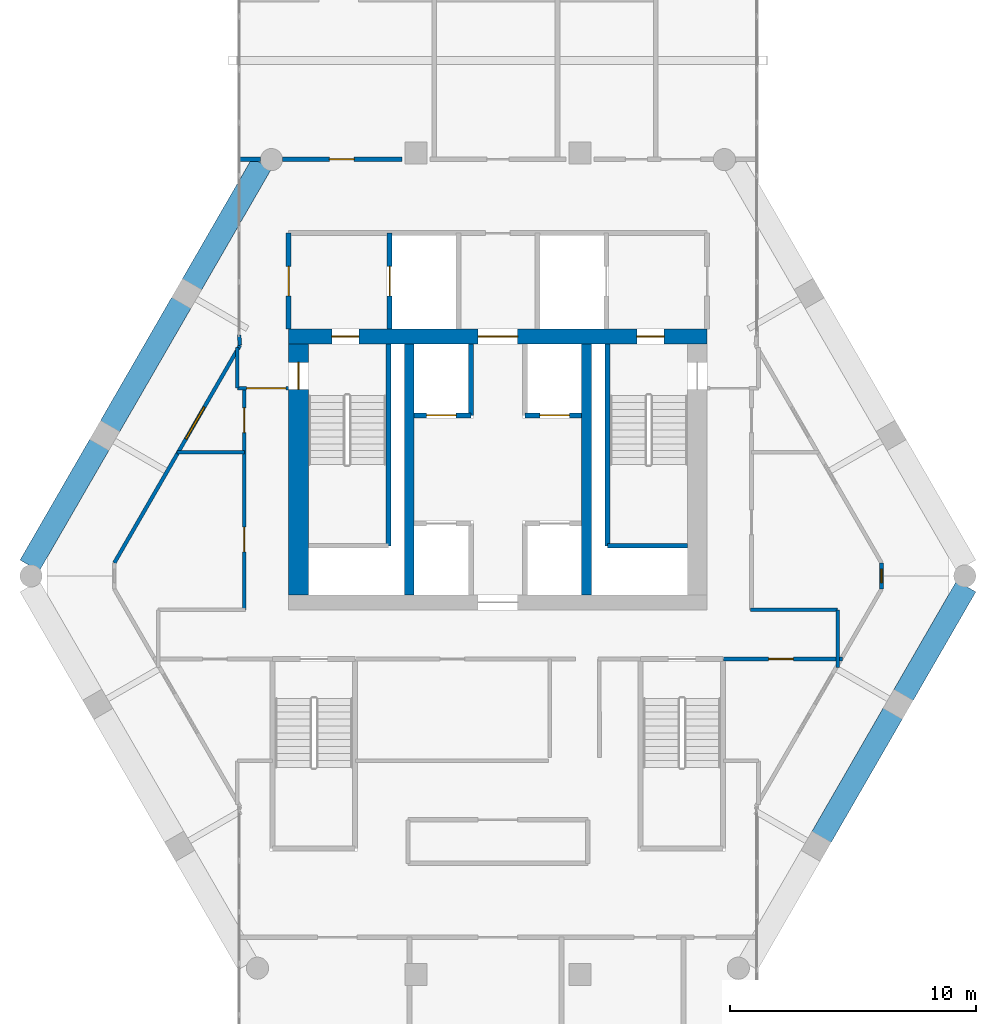
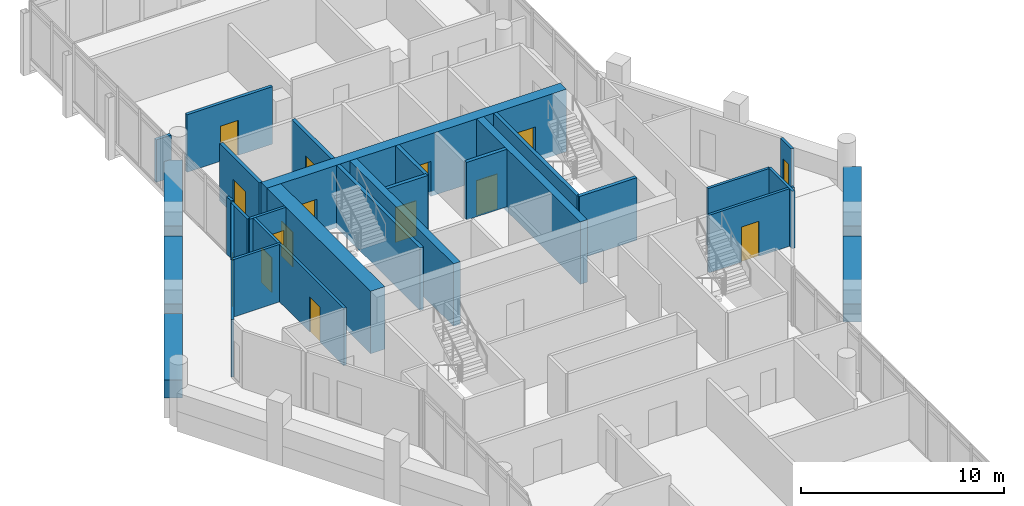
# One storey, part 22 of 25: 29 walls, 13 doors, 2 windows, 15 openings.
"""IFC4 building model written with IfcOpenShell, lengths in metres."""

from ifc_helpers import new_model, si_unit, direction, frame, frame_2d, origin, place, context, subcontext, project, spatial, rectangle, extrude, material, layer, layer_set, type_object, element, fill, save


model = new_model("IFC4")

# Units and contexts
model_context = context("Model", 3, precision=1e-05, world=origin(), true_north=direction((0.0, 1.0)))
body_context = subcontext(model_context, "Body", "Model", "MODEL_VIEW")
ifc_project = project(units=[si_unit("LENGTHUNIT", "METRE"), si_unit("AREAUNIT", "SQUARE_METRE"), si_unit("VOLUMEUNIT", "CUBIC_METRE"), si_unit("PLANEANGLEUNIT", "RADIAN"), si_unit("MASSUNIT", "GRAM", prefix="KILO")], contexts=[model_context])

# Site, building, storey
site_placement = place(None, origin())
site = spatial("IfcSite", under=ifc_project, at=site_placement, CompositionType="ELEMENT")
building_placement = place(site_placement, origin())
building = spatial("IfcBuilding", under=site, at=building_placement, Name="Ostrander Bayou Hotel Tower", CompositionType="ELEMENT")
storey_placement = place(building_placement, frame((0.0, 0.0, 229.5)))
storey = spatial("IfcBuildingStorey", under=building, at=storey_placement, Name="L57", CompositionType="ELEMENT", Elevation=229.5)

# Wall, openings, doors
ifc_material_1 = material(Name="Concrete f'c 60 MPa", Category="concrete")
ifc_layer_1 = layer(ifc_material_1, 0.60009765625)
ifc_layer_set_1 = layer_set([ifc_layer_1], Name="CW10 core wall 600 mm f'c 60 MPa")
wall_type_1 = type_object("IfcWallType", Name="CW10 core wall 600 mm f'c 60 MPa", PredefinedType="SHEAR", material=ifc_layer_set_1)
wall_1_placement = place(storey_placement, frame((-8.5, 9.39990234375, -0.300048828125), z_axis=(0.0, 0.0, 1.0), x_axis=(1.0, 0.0, 0.0)))
wall_1 = element("IfcWall", 1, at=wall_1_placement, inside=storey, type_object=wall_type_1, Name="CW10 L57 N", PredefinedType="SHEAR", context=body_context, shape_type="SweptSolid", body=[
    extrude(rectangle(XDim=17.0, YDim=0.60009765625, at=frame_2d((8.5, 0.0))), origin(), (0.0, 0.0, 1.0), 3.75),
])
opening_1_placement = place(wall_1_placement, frame((7.699951171875, 0.0, 0.0)))
opening_1 = element("IfcOpeningElement", 2, at=opening_1_placement, cuts=wall_1, Name="Opening T57-006", PredefinedType="OPENING", context=body_context, shape_type="SweptSolid", body=[
    extrude(rectangle(XDim=1.60009765625, YDim=2.10009765625, at=frame_2d((0.800048828125, 1.050048828125))), frame((0.0, 0.300048828125, 0.0), z_axis=(0.0, -1.0, 0.0), x_axis=(1.0, 0.0, 0.0)), (0.0, 0.0, 1.0), 0.60009765625),
])
opening_2_placement = place(wall_1_placement, frame((1.75, 0.0, 0.0)))
opening_2 = element("IfcOpeningElement", 3, at=opening_2_placement, cuts=wall_1, Name="Opening T57-007", PredefinedType="OPENING", context=body_context, shape_type="SweptSolid", body=[
    extrude(rectangle(XDim=1.10009765625, YDim=2.10009765625, at=frame_2d((0.550048828125, 1.050048828125))), frame((0.0, 0.300048828125, 0.0), z_axis=(0.0, -1.0, 0.0), x_axis=(1.0, 0.0, 0.0)), (0.0, 0.0, 1.0), 0.60009765625),
])
opening_3_placement = place(wall_1_placement, frame((14.14990234375, 0.0, 0.0)))
opening_3 = element("IfcOpeningElement", 4, at=opening_3_placement, cuts=wall_1, Name="Opening T57-009", PredefinedType="OPENING", context=body_context, shape_type="SweptSolid", body=[
    extrude(rectangle(XDim=1.10009765625, YDim=2.10009765625, at=frame_2d((0.550048828125, 1.050048828125))), frame((0.0, 0.300048828125, 0.0), z_axis=(0.0, -1.0, 0.0), x_axis=(1.0, 0.0, 0.0)), (0.0, 0.0, 1.0), 0.60009765625),
])
ifc_material_2 = material(Name="Timber door leaf", Category="wood")
door_type_1 = type_object("IfcDoorType", Name="D13 double door 1600 x 2100 mm, 1 hour", OperationType="SINGLE_SWING_LEFT", PredefinedType="DOOR", material=ifc_material_2)
door_1_placement = place(opening_1_placement, origin())
door_1 = element("IfcDoor", 5, at=door_1_placement, inside=storey, type_object=door_type_1, Name="dr:L57:006", OperationType="DOUBLE_DOOR_SINGLE_SWING", OverallHeight=2.10009765625, OverallWidth=1.60009765625, PredefinedType="DOOR", context=body_context, shape_type="SweptSolid", body=[
    extrude(rectangle(XDim=1.60009765625, YDim=2.10009765625, at=frame_2d((0.800048828125, 1.050048828125))), frame((0.0, 0.02490234375, 0.0), z_axis=(0.0, -1.0, 0.0), x_axis=(1.0, 0.0, 0.0)), (0.0, 0.0, 1.0), 0.050048828125),
])
fill(opening_1, door_1)
ifc_material_3 = material(Name="Timber door leaf", Category="wood")
door_type_2 = type_object("IfcDoorType", Name="D5 stair door 1100 x 2100 mm, 90 minute", OperationType="SINGLE_SWING_LEFT", PredefinedType="DOOR", material=ifc_material_3)
door_2_placement = place(opening_2_placement, origin())
door_2 = element("IfcDoor", 6, at=door_2_placement, inside=storey, type_object=door_type_2, Name="dr:L57:007", OperationType="SINGLE_SWING_LEFT", OverallHeight=2.10009765625, OverallWidth=1.10009765625, PredefinedType="DOOR", context=body_context, shape_type="SweptSolid", body=[
    extrude(rectangle(XDim=1.10009765625, YDim=2.10009765625, at=frame_2d((0.550048828125, 1.050048828125))), frame((0.0, 0.02490234375, 0.0), z_axis=(0.0, -1.0, 0.0), x_axis=(1.0, 0.0, 0.0)), (0.0, 0.0, 1.0), 0.050048828125),
])
fill(opening_2, door_2)
door_3_placement = place(opening_3_placement, origin())
door_3 = element("IfcDoor", 7, at=door_3_placement, inside=storey, type_object=door_type_2, Name="dr:L57:009", OperationType="SINGLE_SWING_RIGHT", OverallHeight=2.10009765625, OverallWidth=1.10009765625, PredefinedType="DOOR", context=body_context, shape_type="SweptSolid", body=[
    extrude(rectangle(XDim=1.10009765625, YDim=2.10009765625, at=frame_2d((0.550048828125, 1.050048828125))), frame((0.0, 0.02490234375, 0.0), z_axis=(0.0, -1.0, 0.0), x_axis=(1.0, 0.0, 0.0)), (0.0, 0.0, 1.0), 0.050048828125),
])
fill(opening_3, door_3)

# Wall, opening, door
ifc_material_4 = material(Name="Concrete f'c 60 MPa", Category="concrete")
ifc_layer_2 = layer(ifc_material_4, 0.800048828125)
ifc_layer_set_2 = layer_set([ifc_layer_2], Name="CW11 core spine wall 800 mm f'c 60 MPa")
wall_type_2 = type_object("IfcWallType", Name="CW11 core spine wall 800 mm f'c 60 MPa", PredefinedType="SHEAR", material=ifc_layer_set_2)
wall_2_placement = place(storey_placement, frame((-8.10009765625, -1.10009765625, -0.300048828125), z_axis=(0.0, 0.0, 1.0), x_axis=(0.0, 1.0, 0.0)))
wall_2 = element("IfcWall", 8, at=wall_2_placement, inside=storey, type_object=wall_type_2, Name="CW11 L57 W", PredefinedType="SHEAR", context=body_context, shape_type="SweptSolid", body=[
    extrude(rectangle(XDim=10.2001953125, YDim=0.800048828125, at=frame_2d((5.10009765625, 0.0))), origin(), (0.0, 0.0, 1.0), 3.75),
])
opening_4_placement = place(wall_2_placement, frame((8.35009765625, 0.0, 0.0)))
opening_4 = element("IfcOpeningElement", 9, at=opening_4_placement, cuts=wall_2, Name="Opening T57-008", PredefinedType="OPENING", context=body_context, shape_type="SweptSolid", body=[
    extrude(rectangle(XDim=1.10009765625, YDim=2.10009765625, at=frame_2d((0.550048828125, 1.050048828125))), frame((0.0, 0.39990234375, 0.0), z_axis=(0.0, -1.0, 0.0), x_axis=(1.0, 0.0, 0.0)), (0.0, 0.0, 1.0), 0.800048828125),
])
door_4_placement = place(opening_4_placement, origin())
door_4 = element("IfcDoor", 10, at=door_4_placement, inside=storey, type_object=door_type_2, Name="dr:L57:008", OperationType="SINGLE_SWING_RIGHT", OverallHeight=2.10009765625, OverallWidth=1.10009765625, PredefinedType="DOOR", context=body_context, shape_type="SweptSolid", body=[
    extrude(rectangle(XDim=1.10009765625, YDim=2.10009765625, at=frame_2d((0.550048828125, 1.050048828125))), frame((0.0, 0.02490234375, 0.0), z_axis=(0.0, -1.0, 0.0), x_axis=(1.0, 0.0, 0.0)), (0.0, 0.0, 1.0), 0.050048828125),
])
fill(opening_4, door_4)

# Walls
ifc_material_5 = material(Name="Concrete f'c 60 MPa", Category="concrete")
ifc_layer_3 = layer(ifc_material_5, 0.39990234375)
ifc_layer_set_3 = layer_set([ifc_layer_3], Name="CW12 core bank wall 400 mm f'c 60 MPa")
wall_type_3 = type_object("IfcWallType", Name="CW12 core bank wall 400 mm f'c 60 MPa", PredefinedType="SHEAR", material=ifc_layer_set_3)
for number, where, z_axis, x_axis, name in (
    (11, (-3.60009765625, -1.10009765625, -0.300048828125), (0.0, 0.0, 1.0), (0.0, 1.0, 0.0), "CW12 L57 CW"),
    (12, (3.60009765625, -1.10009765625, -0.300048828125), (0.0, 0.0, 1.0), (0.0, 1.0, 0.0), "CW12 L57 CE"),
):
    element("IfcWall", number, at=place(storey_placement, frame(where, z_axis=z_axis, x_axis=x_axis)), inside=storey, type_object=wall_type_3, Name=name, PredefinedType="SHEAR", context=body_context, shape_type="SweptSolid", body=[
        extrude(rectangle(XDim=10.2001953125, YDim=0.39990234375, at=frame_2d((5.10009765625, 0.0))), origin(), (0.0, 0.0, 1.0), 3.75),
    ])

# Wall, opening, window
ifc_material_6 = material(Name="Aluminium framed insulated wall", Category="aluminium")
ifc_layer_4 = layer(ifc_material_6, 0.14990234375)
ifc_layer_set_4 = layer_set([ifc_layer_4], Name="GW1 glass-line wall 150 mm")
wall_type_4 = type_object("IfcWallType", Name="GW1 glass-line wall 150 mm", PredefinedType="SOLIDWALL", material=ifc_layer_set_4)
wall_3_placement = place(storey_placement, frame((-10.47900390625, 9.04541015625, 0.0), z_axis=(0.0, 0.0, 1.0), x_axis=(-0.49998469459, -0.866034240187, 0.0)))
wall_3 = element("IfcWall", 13, at=wall_3_placement, inside=storey, type_object=wall_type_4, Name="GW1 L57 NW 1", PredefinedType="SOLIDWALL", context=body_context, shape_type="SweptSolid", body=[
    extrude(rectangle(XDim=10.207763671875, YDim=0.14990234375, at=frame_2d((5.10400390625, 0.0))), origin(), (0.0, 0.0, 1.0), 3.449951171875),
])
opening_5_placement = place(wall_3_placement, frame((2.89404296875, 0.0, 0.14990234375)))
opening_5 = element("IfcOpeningElement", 14, at=opening_5_placement, cuts=wall_3, Name="Opening W10", PredefinedType="OPENING", context=body_context, shape_type="SweptSolid", body=[
    extrude(rectangle(XDim=1.5, YDim=2.199951171875, at=frame_2d((0.75, 1.10009765625))), frame((0.0, 0.074951171875, 0.0), z_axis=(0.0, -1.0, 0.0), x_axis=(1.0, 0.0, 0.0)), (0.0, 0.0, 1.0), 0.14990234375),
])
ifc_material_7 = material(Name="Aluminium and clear glass", Category="aluminium")
window_type_1 = type_object("IfcWindowType", Name="W10 fixed window 1500 mm, bar storeys, zone 4", PartitioningType="SINGLE_PANEL", PredefinedType="WINDOW", material=ifc_material_7)
window_1_placement = place(opening_5_placement, origin())
window_1 = element("IfcWindow", 15, at=window_1_placement, inside=storey, type_object=window_type_1, Name="W10 L57 NW 3", OverallHeight=2.199951171875, OverallWidth=1.5, PartitioningType="SINGLE_PANEL", PredefinedType="WINDOW", context=body_context, shape_type="SweptSolid", body=[
    extrude(rectangle(XDim=1.5, YDim=2.199951171875, at=frame_2d((0.75, 1.10009765625))), frame((0.0, 0.030029296875, 0.0), z_axis=(0.0, -1.0, 0.0), x_axis=(1.0, 0.0, 0.0)), (0.0, 0.0, 1.0), 0.06005859375),
])
fill(opening_5, window_1)

wall_4_placement = place(storey_placement, frame((15.582763671875, -0.85986328125, 0.0), z_axis=(0.0, 0.0, 1.0), x_axis=(0.0, 1.0, 0.0)))
wall_4 = element("IfcWall", 16, at=wall_4_placement, inside=storey, type_object=wall_type_4, Name="GW1 L57 corner 5", PredefinedType="SOLIDWALL", context=body_context, shape_type="SweptSolid", body=[
    extrude(rectangle(XDim=1.06494140625, YDim=0.14990234375, at=frame_2d((0.532470703125, 0.0))), origin(), (0.0, 0.0, 1.0), 3.449951171875),
])
opening_6_placement = place(wall_4_placement, frame((0.257568359375, 0.0, 0.14990234375)))
opening_6 = element("IfcOpeningElement", 17, at=opening_6_placement, cuts=wall_4, Name="Opening W19", PredefinedType="OPENING", context=body_context, shape_type="SweptSolid", body=[
    extrude(rectangle(XDim=0.550048828125, YDim=2.199951171875, at=frame_2d((0.27490234375, 1.10009765625))), frame((0.0, 0.074951171875, 0.0), z_axis=(0.0, -1.0, 0.0), x_axis=(1.0, 0.0, 0.0)), (0.0, 0.0, 1.0), 0.14990234375),
])
ifc_material_8 = material(Name="Aluminium and clear glass", Category="aluminium")
window_type_2 = type_object("IfcWindowType", Name="W19 corner window 550 mm", PartitioningType="SINGLE_PANEL", PredefinedType="WINDOW", material=ifc_material_8)
window_2_placement = place(opening_6_placement, origin())
window_2 = element("IfcWindow", 18, at=window_2_placement, inside=storey, type_object=window_type_2, Name="W19 L57 corner 5", OverallHeight=2.199951171875, OverallWidth=0.550048828125, PartitioningType="SINGLE_PANEL", PredefinedType="WINDOW", context=body_context, shape_type="SweptSolid", body=[
    extrude(rectangle(XDim=0.550048828125, YDim=2.199951171875, at=frame_2d((0.27490234375, 1.10009765625))), frame((0.0, 0.030029296875, 0.0), z_axis=(0.0, -1.0, 0.0), x_axis=(1.0, 0.0, 0.0)), (0.0, 0.0, 1.0), 0.06005859375),
])
fill(opening_6, window_2)

# Walls
wall_5_placement = place(storey_placement, frame((-10.47900390625, 9.04541015625, 0.0), z_axis=(0.0, 0.0, 1.0), x_axis=(-0.078869316502, 0.996884963732, 0.0)))
element("IfcWall", 19, at=wall_5_placement, inside=storey, type_object=wall_type_4, Name="GW1 L57 bar joint 1", PredefinedType="SOLIDWALL", context=body_context, shape_type="SweptSolid", body=[
    extrude(rectangle(XDim=0.4208984375, YDim=0.14990234375, at=frame_2d((0.21044921875, 0.0))), origin(), (0.0, 0.0, 1.0), 3.449951171875),
])
ifc_material_9 = material(Name="Concrete f'c 40 MPa", Category="concrete")
ifc_layer_5 = layer(ifc_material_9, 0.89990234375)
ifc_layer_set_5 = layer_set([ifc_layer_5], Name="PA1 stone-faced parapet 900 mm")
wall_type_5 = type_object("IfcWallType", Name="PA1 stone-faced parapet 900 mm", PredefinedType="PARAPET", material=ifc_layer_set_5)
wall_6_placement = place(storey_placement, frame((-9.593994140625, 16.427978515625, 0.0), z_axis=(0.0, 0.0, 1.0), x_axis=(-0.499994028088, -0.866028851642, 0.0)))
element("IfcWall", 20, at=wall_6_placement, inside=storey, type_object=wall_type_5, Name="PA1 L57 NW-1", PredefinedType="PARAPET", context=body_context, shape_type="SweptSolid", body=[
    extrude(rectangle(XDim=5.6806640625, YDim=0.89990234375, at=frame_2d((2.84033203125, 0.0))), origin(), (0.0, 0.0, 1.0), 1.10009765625),
])
wall_7_placement = place(storey_placement, frame((-12.8544921875, 10.781005859375, 0.0), z_axis=(0.0, 0.0, 1.0), x_axis=(-0.499997265274, -0.866026982673, 0.0)))
element("IfcWall", 21, at=wall_7_placement, inside=storey, type_object=wall_type_5, Name="PA1 L57 NW-2", PredefinedType="PARAPET", context=body_context, shape_type="SweptSolid", body=[
    extrude(rectangle(XDim=5.81884765625, YDim=0.89990234375, at=frame_2d((2.909423828125, 0.0))), origin(), (0.0, 0.0, 1.0), 1.10009765625),
])
wall_8_placement = place(storey_placement, frame((-16.183837890625, 5.014404296875, 0.0), z_axis=(0.0, 0.0, 1.0), x_axis=(-0.499994028088, -0.866028851642, 0.0)))
element("IfcWall", 22, at=wall_8_placement, inside=storey, type_object=wall_type_5, Name="PA1 L57 NW-3", PredefinedType="PARAPET", context=body_context, shape_type="SweptSolid", body=[
    extrude(rectangle(XDim=5.6806640625, YDim=0.89990234375, at=frame_2d((2.84033203125, 0.0))), origin(), (0.0, 0.0, 1.0), 1.10009765625),
])
ifc_material_10 = material(Name="Limestone masonry", Category="masonry")
ifc_layer_6 = layer(ifc_material_10, 0.89990234375)
ifc_layer_set_6 = layer_set([ifc_layer_6], Name="PA2 limestone parapet 900 mm")
wall_type_6 = type_object("IfcWallType", Name="PA2 limestone parapet 900 mm", PredefinedType="PARAPET", material=ifc_layer_set_6)
wall_9_placement = place(storey_placement, frame((13.1376953125, -10.944580078125, 0.0), z_axis=(0.0, 0.0, 1.0), x_axis=(0.500015433515, 0.866016493057, 0.0)))
element("IfcWall", 23, at=wall_9_placement, inside=storey, type_object=wall_type_6, Name="PA2 L57 SE-2", PredefinedType="PARAPET", context=body_context, shape_type="SweptSolid", body=[
    extrude(rectangle(XDim=5.818603515625, YDim=0.89990234375, at=frame_2d((2.9091796875, 0.0))), origin(), (0.0, 0.0, 1.0), 1.10009765625),
])
wall_10_placement = place(storey_placement, frame((16.46728515625, -5.177978515625, 0.0), z_axis=(0.0, 0.0, 1.0), x_axis=(0.499995206172, 0.866028171485, 0.0)))
element("IfcWall", 24, at=wall_10_placement, inside=storey, type_object=wall_type_6, Name="PA2 L57 SE-3", PredefinedType="PARAPET", context=body_context, shape_type="SweptSolid", body=[
    extrude(rectangle(XDim=5.11376953125, YDim=0.89990234375, at=frame_2d((2.556884765625, 0.0))), origin(), (0.0, 0.0, 1.0), 1.10009765625),
])
ifc_material_11 = material(Name="Gypsum board partition", Category="finish")
ifc_layer_7 = layer(ifc_material_11, 0.175048828125)
ifc_layer_set_7 = layer_set([ifc_layer_7], Name="PT4 corridor wall 175 mm, 1 hour")
wall_type_7 = type_object("IfcWallType", Name="PT4 corridor wall 175 mm, 1 hour", PredefinedType="PARTITIONING", material=ifc_layer_set_7)
wall_11_placement = place(storey_placement, frame((-10.4931640625, 16.60009765625, 0.0), z_axis=(0.0, 0.0, 1.0), x_axis=(1.0, 0.0, 0.0)))
element("IfcWall", 25, at=wall_11_placement, inside=storey, type_object=wall_type_7, Name="sw:L57:503", PredefinedType="PARTITIONING", context=body_context, shape_type="SweptSolid", body=[
    extrude(rectangle(XDim=0.8447265625, YDim=0.175048828125, at=frame_2d((0.42236328125, 0.0))), origin(), (0.0, 0.0, 1.0), 2.550048828125),
])

# Wall, opening, door
wall_12_placement = place(storey_placement, frame((-8.750732421875, 16.60009765625, 0.0), z_axis=(0.0, 0.0, 1.0), x_axis=(1.0, 0.0, 0.0)))
wall_12 = element("IfcWall", 26, at=wall_12_placement, inside=storey, type_object=wall_type_7, Name="sw:L57:504", PredefinedType="PARTITIONING", context=body_context, shape_type="SweptSolid", body=[
    extrude(rectangle(XDim=4.857177734375, YDim=0.175048828125, at=frame_2d((2.4287109375, 0.0))), origin(), (0.0, 0.0, 1.0), 3.449951171875),
])
opening_7_placement = place(wall_12_placement, frame((1.906005859375, 0.0, 0.0)))
opening_7 = element("IfcOpeningElement", 27, at=opening_7_placement, cuts=wall_12, Name="Opening T57-1207", PredefinedType="OPENING", context=body_context, shape_type="SweptSolid", body=[
    extrude(rectangle(XDim=1.0, YDim=2.10009765625, at=frame_2d((0.5, 1.050048828125))), frame((0.0, 0.08740234375, 0.0), z_axis=(0.0, -1.0, 0.0), x_axis=(1.0, 0.0, 0.0)), (0.0, 0.0, 1.0), 0.175048828125),
])
ifc_material_12 = material(Name="Timber door leaf", Category="wood")
door_type_3 = type_object("IfcDoorType", Name="D9 service door 1000 x 2100 mm, 30 minute", OperationType="SINGLE_SWING_LEFT", PredefinedType="DOOR", material=ifc_material_12)
door_5_placement = place(opening_7_placement, origin())
door_5 = element("IfcDoor", 28, at=door_5_placement, inside=storey, type_object=door_type_3, Name="dr:L57:1207", OperationType="SINGLE_SWING_LEFT", OverallHeight=2.10009765625, OverallWidth=1.0, PredefinedType="DOOR", context=body_context, shape_type="SweptSolid", body=[
    extrude(rectangle(XDim=1.0, YDim=2.10009765625, at=frame_2d((0.5, 1.050048828125))), frame((0.0, 0.02490234375, 0.0), z_axis=(0.0, -1.0, 0.0), x_axis=(1.0, 0.0, 0.0)), (0.0, 0.0, 1.0), 0.050048828125),
])
fill(opening_7, door_5)

ifc_material_13 = material(Name="Masonry block", Category="masonry")
ifc_layer_8 = layer(ifc_material_13, 0.199951171875)
ifc_layer_set_8 = layer_set([ifc_layer_8], Name="PT5 stair enclosure wall 200 mm masonry, 2 hour")
wall_type_8 = type_object("IfcWallType", Name="PT5 stair enclosure wall 200 mm masonry, 2 hour", PredefinedType="PARTITIONING", material=ifc_layer_set_8)
wall_13_placement = place(storey_placement, frame((-8.5, 9.699951171875, 0.0), z_axis=(0.0, 0.0, 1.0), x_axis=(0.0, 1.0, 0.0)))
wall_13 = element("IfcWall", 29, at=wall_13_placement, inside=storey, type_object=wall_type_8, Name="cs:L57:022", PredefinedType="PARTITIONING", context=body_context, shape_type="SweptSolid", body=[
    extrude(rectangle(XDim=3.900146484375, YDim=0.199951171875, at=frame_2d((1.9501953125, 0.0))), origin(), (0.0, 0.0, 1.0), 3.449951171875),
])
opening_8_placement = place(wall_13_placement, frame((1.35009765625, 0.0, 0.0)))
opening_8 = element("IfcOpeningElement", 30, at=opening_8_placement, cuts=wall_13, Name="Opening T57-014", PredefinedType="OPENING", context=body_context, shape_type="SweptSolid", body=[
    extrude(rectangle(XDim=1.199951171875, YDim=2.10009765625, at=frame_2d((0.60009765625, 1.050048828125))), frame((0.0, 0.10009765625, 0.0), z_axis=(0.0, -1.0, 0.0), x_axis=(1.0, 0.0, 0.0)), (0.0, 0.0, 1.0), 0.199951171875),
])
ifc_material_14 = material(Name="Timber door leaf", Category="wood")
door_type_4 = type_object("IfcDoorType", Name="D7 lobby door 1200 x 2100 mm, 1 hour", OperationType="SINGLE_SWING_LEFT", PredefinedType="DOOR", material=ifc_material_14)
door_6_placement = place(opening_8_placement, origin())
door_6 = element("IfcDoor", 31, at=door_6_placement, inside=storey, type_object=door_type_4, Name="dr:L57:014", OperationType="SINGLE_SWING_LEFT", OverallHeight=2.10009765625, OverallWidth=1.199951171875, PredefinedType="DOOR", context=body_context, shape_type="SweptSolid", body=[
    extrude(rectangle(XDim=1.199951171875, YDim=2.10009765625, at=frame_2d((0.60009765625, 1.050048828125))), frame((0.0, 0.02490234375, 0.0), z_axis=(0.0, -1.0, 0.0), x_axis=(1.0, 0.0, 0.0)), (0.0, 0.0, 1.0), 0.050048828125),
])
fill(opening_8, door_6)

wall_14_placement = place(storey_placement, frame((-4.39990234375, 9.699951171875, 0.0), z_axis=(0.0, 0.0, 1.0), x_axis=(0.0, 1.0, 0.0)))
wall_14 = element("IfcWall", 32, at=wall_14_placement, inside=storey, type_object=wall_type_8, Name="cs:L57:024", PredefinedType="PARTITIONING", context=body_context, shape_type="SweptSolid", body=[
    extrude(rectangle(XDim=3.900146484375, YDim=0.199951171875, at=frame_2d((1.9501953125, 0.0))), origin(), (0.0, 0.0, 1.0), 3.449951171875),
])
opening_9_placement = place(wall_14_placement, frame((1.35009765625, 0.0, 0.0)))
opening_9 = element("IfcOpeningElement", 33, at=opening_9_placement, cuts=wall_14, Name="Opening T57-013", PredefinedType="OPENING", context=body_context, shape_type="SweptSolid", body=[
    extrude(rectangle(XDim=1.199951171875, YDim=2.10009765625, at=frame_2d((0.60009765625, 1.050048828125))), frame((0.0, 0.10009765625, 0.0), z_axis=(0.0, -1.0, 0.0), x_axis=(1.0, 0.0, 0.0)), (0.0, 0.0, 1.0), 0.199951171875),
])
ifc_material_15 = material(Name="Stainless steel sliding door", Category="steel")
door_type_5 = type_object("IfcDoorType", Name="LD1 lift landing door 1200 x 2100 mm", OperationType="SINGLE_SWING_LEFT", PredefinedType="DOOR", material=ifc_material_15)
door_7_placement = place(opening_9_placement, origin())
door_7 = element("IfcDoor", 34, at=door_7_placement, inside=storey, type_object=door_type_5, Name="dr:L57:013", OperationType="SLIDING_TO_LEFT", OverallHeight=2.10009765625, OverallWidth=1.199951171875, PredefinedType="DOOR", context=body_context, shape_type="SweptSolid", body=[
    extrude(rectangle(XDim=1.199951171875, YDim=2.10009765625, at=frame_2d((0.60009765625, 1.050048828125))), frame((0.0, 0.02490234375, 0.0), z_axis=(0.0, -1.0, 0.0), x_axis=(1.0, 0.0, 0.0)), (0.0, 0.0, 1.0), 0.050048828125),
])
fill(opening_9, door_7)

ifc_material_16 = material(Name="Masonry block", Category="masonry")
ifc_layer_9 = layer(ifc_material_16, 0.199951171875)
ifc_layer_set_9 = layer_set([ifc_layer_9], Name="PT6 lift shaft wall 200 mm masonry, 2 hour")
wall_type_9 = type_object("IfcWallType", Name="PT6 lift shaft wall 200 mm masonry, 2 hour", PredefinedType="PARTITIONING", material=ifc_layer_set_9)
wall_15_placement = place(storey_placement, frame((-3.39990234375, 6.199951171875, 0.0), z_axis=(0.0, 0.0, 1.0), x_axis=(1.0, 0.0, 0.0)))
wall_15 = element("IfcWall", 35, at=wall_15_placement, inside=storey, type_object=wall_type_9, Name="cs:L57:002", PredefinedType="PARTITIONING", context=body_context, shape_type="SweptSolid", body=[
    extrude(rectangle(XDim=2.2998046875, YDim=0.199951171875, at=frame_2d((1.14990234375, 0.0))), origin(), (0.0, 0.0, 1.0), 3.449951171875),
])
opening_10_placement = place(wall_15_placement, frame((0.5, 0.0, 0.0)))
opening_10 = element("IfcOpeningElement", 36, at=opening_10_placement, cuts=wall_15, Name="Opening T57-003", PredefinedType="OPENING", context=body_context, shape_type="SweptSolid", body=[
    extrude(rectangle(XDim=1.199951171875, YDim=2.10009765625, at=frame_2d((0.60009765625, 1.050048828125))), frame((0.0, 0.10009765625, 0.0), z_axis=(0.0, -1.0, 0.0), x_axis=(1.0, 0.0, 0.0)), (0.0, 0.0, 1.0), 0.199951171875),
])
door_8_placement = place(opening_10_placement, origin())
door_8 = element("IfcDoor", 37, at=door_8_placement, inside=storey, type_object=door_type_5, Name="dr:L57:003", OperationType="SLIDING_TO_LEFT", OverallHeight=2.10009765625, OverallWidth=1.199951171875, PredefinedType="DOOR", context=body_context, shape_type="SweptSolid", body=[
    extrude(rectangle(XDim=1.199951171875, YDim=2.10009765625, at=frame_2d((0.60009765625, 1.050048828125))), frame((0.0, 0.02490234375, 0.0), z_axis=(0.0, -1.0, 0.0), x_axis=(1.0, 0.0, 0.0)), (0.0, 0.0, 1.0), 0.050048828125),
])
fill(opening_10, door_8)

wall_16_placement = place(storey_placement, frame((1.10009765625, 6.199951171875, 0.0), z_axis=(0.0, 0.0, 1.0), x_axis=(1.0, 0.0, 0.0)))
wall_16 = element("IfcWall", 38, at=wall_16_placement, inside=storey, type_object=wall_type_9, Name="cs:L57:004", PredefinedType="PARTITIONING", context=body_context, shape_type="SweptSolid", body=[
    extrude(rectangle(XDim=2.2998046875, YDim=0.199951171875, at=frame_2d((1.14990234375, 0.0))), origin(), (0.0, 0.0, 1.0), 3.449951171875),
])
opening_11_placement = place(wall_16_placement, frame((0.60009765625, 0.0, 0.0)))
opening_11 = element("IfcOpeningElement", 39, at=opening_11_placement, cuts=wall_16, Name="Opening T57-004", PredefinedType="OPENING", context=body_context, shape_type="SweptSolid", body=[
    extrude(rectangle(XDim=1.199951171875, YDim=2.10009765625, at=frame_2d((0.60009765625, 1.050048828125))), frame((0.0, 0.10009765625, 0.0), z_axis=(0.0, -1.0, 0.0), x_axis=(1.0, 0.0, 0.0)), (0.0, 0.0, 1.0), 0.199951171875),
])
door_9_placement = place(opening_11_placement, origin())
door_9 = element("IfcDoor", 40, at=door_9_placement, inside=storey, type_object=door_type_5, Name="dr:L57:004", OperationType="SLIDING_TO_LEFT", OverallHeight=2.10009765625, OverallWidth=1.199951171875, PredefinedType="DOOR", context=body_context, shape_type="SweptSolid", body=[
    extrude(rectangle(XDim=1.199951171875, YDim=2.10009765625, at=frame_2d((0.60009765625, 1.050048828125))), frame((0.0, 0.02490234375, 0.0), z_axis=(0.0, -1.0, 0.0), x_axis=(1.0, 0.0, 0.0)), (0.0, 0.0, 1.0), 0.050048828125),
])
fill(opening_11, door_9)

# Wall
wall_17_placement = place(storey_placement, frame((-1.10009765625, 6.199951171875, 0.0), z_axis=(0.0, 0.0, 1.0), x_axis=(0.0, 1.0, 0.0)))
element("IfcWall", 41, at=wall_17_placement, inside=storey, type_object=wall_type_9, Name="cs:L57:007", PredefinedType="PARTITIONING", context=body_context, shape_type="SweptSolid", body=[
    extrude(rectangle(XDim=2.900146484375, YDim=0.199951171875, at=frame_2d((1.4501953125, 0.0))), origin(), (0.0, 0.0, 1.0), 3.449951171875),
])

# Wall, opening, door
ifc_material_17 = material(Name="Gypsum board partition", Category="finish")
ifc_layer_10 = layer(ifc_material_17, 0.14990234375)
ifc_layer_set_10 = layer_set([ifc_layer_10], Name="PT8 service band wall 150 mm, 1 hour")
wall_type_10 = type_object("IfcWallType", Name="PT8 service band wall 150 mm, 1 hour", PredefinedType="PARTITIONING", material=ifc_layer_set_10)
wall_18_placement = place(storey_placement, frame((9.159912109375, -3.699951171875, 0.0), z_axis=(0.0, 0.0, 1.0), x_axis=(1.0, 0.0, 0.0)))
wall_18 = element("IfcWall", 42, at=wall_18_placement, inside=storey, type_object=wall_type_10, Name="gw:L57:007", PredefinedType="PARTITIONING", context=body_context, shape_type="SweptSolid", body=[
    extrude(rectangle(XDim=4.835205078125, YDim=0.14990234375, at=frame_2d((2.41748046875, 0.0))), origin(), (0.0, 0.0, 1.0), 3.449951171875),
])
opening_12_placement = place(wall_18_placement, frame((1.840087890625, 0.0, 0.0)))
opening_12 = element("IfcOpeningElement", 43, at=opening_12_placement, cuts=wall_18, Name="Opening T57-402", PredefinedType="OPENING", context=body_context, shape_type="SweptSolid", body=[
    extrude(rectangle(XDim=1.0, YDim=2.10009765625, at=frame_2d((0.5, 1.050048828125))), frame((0.0, 0.074951171875, 0.0), z_axis=(0.0, -1.0, 0.0), x_axis=(1.0, 0.0, 0.0)), (0.0, 0.0, 1.0), 0.14990234375),
])
door_10_placement = place(opening_12_placement, origin())
door_10 = element("IfcDoor", 44, at=door_10_placement, inside=storey, type_object=door_type_3, Name="dr:L57:402", OperationType="SINGLE_SWING_LEFT", OverallHeight=2.10009765625, OverallWidth=1.0, PredefinedType="DOOR", context=body_context, shape_type="SweptSolid", body=[
    extrude(rectangle(XDim=1.0, YDim=2.10009765625, at=frame_2d((0.5, 1.050048828125))), frame((0.0, 0.02490234375, 0.0), z_axis=(0.0, -1.0, 0.0), x_axis=(1.0, 0.0, 0.0)), (0.0, 0.0, 1.0), 0.050048828125),
])
fill(opening_12, door_10)

# Walls
wall_19_placement = place(storey_placement, frame((10.260009765625, -1.699951171875, 0.0), z_axis=(0.0, 0.0, 1.0), x_axis=(1.0, 0.0, 0.0)))
element("IfcWall", 45, at=wall_19_placement, inside=storey, type_object=wall_type_10, Name="gw:L57:009", PredefinedType="PARTITIONING", context=body_context, shape_type="SweptSolid", body=[
    extrude(rectangle(XDim=3.5400390625, YDim=0.14990234375, at=frame_2d((1.77001953125, 0.0))), origin(), (0.0, 0.0, 1.0), 3.449951171875),
])
wall_20_placement = place(storey_placement, frame((-13.0400390625, 4.699951171875, 0.0), z_axis=(0.0, 0.0, 1.0), x_axis=(1.0, 0.0, 0.0)))
element("IfcWall", 46, at=wall_20_placement, inside=storey, type_object=wall_type_10, Name="gw:L57:010", PredefinedType="PARTITIONING", context=body_context, shape_type="SweptSolid", body=[
    extrude(rectangle(XDim=2.739990234375, YDim=0.14990234375, at=frame_2d((1.3701171875, 0.0))), origin(), (0.0, 0.0, 1.0), 3.449951171875),
])

# Wall, opening, door
wall_21_placement = place(storey_placement, frame((-10.5849609375, 7.300048828125, 0.0), z_axis=(0.0, 0.0, 1.0), x_axis=(1.0, 0.0, 0.0)))
wall_21 = element("IfcWall", 47, at=wall_21_placement, inside=storey, type_object=wall_type_10, Name="gw:L57:012", PredefinedType="PARTITIONING", context=body_context, shape_type="SweptSolid", body=[
    extrude(rectangle(XDim=2.074951171875, YDim=0.14990234375, at=frame_2d((1.03759765625, 0.0))), origin(), (0.0, 0.0, 1.0), 3.449951171875),
])
opening_13_placement = place(wall_21_placement, frame((0.375, 0.0, 0.0)))
opening_13 = element("IfcOpeningElement", 48, at=opening_13_placement, cuts=wall_21, Name="Opening T57-1212", PredefinedType="OPENING", context=body_context, shape_type="SweptSolid", body=[
    extrude(rectangle(XDim=1.60009765625, YDim=2.10009765625, at=frame_2d((0.800048828125, 1.050048828125))), frame((0.0, 0.074951171875, 0.0), z_axis=(0.0, -1.0, 0.0), x_axis=(1.0, 0.0, 0.0)), (0.0, 0.0, 1.0), 0.14990234375),
])
door_11_placement = place(opening_13_placement, origin())
door_11 = element("IfcDoor", 49, at=door_11_placement, inside=storey, type_object=door_type_1, Name="dr:L57:1212", OperationType="DOUBLE_DOOR_SINGLE_SWING", OverallHeight=2.10009765625, OverallWidth=1.60009765625, PredefinedType="DOOR", context=body_context, shape_type="SweptSolid", body=[
    extrude(rectangle(XDim=1.60009765625, YDim=2.10009765625, at=frame_2d((0.800048828125, 1.050048828125))), frame((0.0, 0.02490234375, 0.0), z_axis=(0.0, -1.0, 0.0), x_axis=(1.0, 0.0, 0.0)), (0.0, 0.0, 1.0), 0.050048828125),
])
fill(opening_13, door_11)

# Wall
wall_22_placement = place(storey_placement, frame((13.800048828125, -4.0380859375, 0.0), z_axis=(0.0, 0.0, 1.0), x_axis=(0.0, 1.0, 0.0)))
element("IfcWall", 50, at=wall_22_placement, inside=storey, type_object=wall_type_10, Name="gw:L57:014", PredefinedType="PARTITIONING", context=body_context, shape_type="SweptSolid", body=[
    extrude(rectangle(XDim=2.338134765625, YDim=0.14990234375, at=frame_2d((1.1689453125, 0.0))), origin(), (0.0, 0.0, 1.0), 3.449951171875),
])

# Wall, openings, doors
wall_23_placement = place(storey_placement, frame((-10.300048828125, -1.699951171875, 0.0), z_axis=(0.0, 0.0, 1.0), x_axis=(0.0, 1.0, 0.0)))
wall_23 = element("IfcWall", 51, at=wall_23_placement, inside=storey, type_object=wall_type_10, Name="gw:L57:019", PredefinedType="PARTITIONING", context=body_context, shape_type="SweptSolid", body=[
    extrude(rectangle(XDim=9.0, YDim=0.14990234375, at=frame_2d((4.5, 0.0))), origin(), (0.0, 0.0, 1.0), 3.449951171875),
])
opening_14_placement = place(wall_23_placement, frame((2.35400390625, 0.0, 0.0)))
opening_14 = element("IfcOpeningElement", 52, at=opening_14_placement, cuts=wall_23, Name="Opening T57-403", PredefinedType="OPENING", context=body_context, shape_type="SweptSolid", body=[
    extrude(rectangle(XDim=1.0, YDim=2.10009765625, at=frame_2d((0.5, 1.050048828125))), frame((0.0, 0.074951171875, 0.0), z_axis=(0.0, -1.0, 0.0), x_axis=(1.0, 0.0, 0.0)), (0.0, 0.0, 1.0), 0.14990234375),
])
opening_15_placement = place(wall_23_placement, frame((7.199951171875, 0.0, 0.0)))
opening_15 = element("IfcOpeningElement", 53, at=opening_15_placement, cuts=wall_23, Name="Opening T57-404", PredefinedType="OPENING", context=body_context, shape_type="SweptSolid", body=[
    extrude(rectangle(XDim=1.0, YDim=2.10009765625, at=frame_2d((0.5, 1.050048828125))), frame((0.0, 0.074951171875, 0.0), z_axis=(0.0, -1.0, 0.0), x_axis=(1.0, 0.0, 0.0)), (0.0, 0.0, 1.0), 0.14990234375),
])
ifc_material_18 = material(Name="Timber door leaf", Category="wood")
door_type_6 = type_object("IfcDoorType", Name="D15 room door 1000 x 2100 mm", OperationType="SINGLE_SWING_LEFT", PredefinedType="DOOR", material=ifc_material_18)
door_12_placement = place(opening_14_placement, origin())
door_12 = element("IfcDoor", 54, at=door_12_placement, inside=storey, type_object=door_type_6, Name="dr:L57:403", OperationType="SINGLE_SWING_LEFT", OverallHeight=2.10009765625, OverallWidth=1.0, PredefinedType="DOOR", context=body_context, shape_type="SweptSolid", body=[
    extrude(rectangle(XDim=1.0, YDim=2.10009765625, at=frame_2d((0.5, 1.050048828125))), frame((0.0, 0.02490234375, 0.0), z_axis=(0.0, -1.0, 0.0), x_axis=(1.0, 0.0, 0.0)), (0.0, 0.0, 1.0), 0.050048828125),
])
fill(opening_14, door_12)
door_13_placement = place(opening_15_placement, origin())
door_13 = element("IfcDoor", 55, at=door_13_placement, inside=storey, type_object=door_type_3, Name="dr:L57:404", OperationType="SINGLE_SWING_LEFT", OverallHeight=2.10009765625, OverallWidth=1.0, PredefinedType="DOOR", context=body_context, shape_type="SweptSolid", body=[
    extrude(rectangle(XDim=1.0, YDim=2.10009765625, at=frame_2d((0.5, 1.050048828125))), frame((0.0, 0.02490234375, 0.0), z_axis=(0.0, -1.0, 0.0), x_axis=(1.0, 0.0, 0.0)), (0.0, 0.0, 1.0), 0.050048828125),
])
fill(opening_15, door_13)

# Walls
wall_24_placement = place(storey_placement, frame((-10.5849609375, 7.300048828125, 0.0), z_axis=(0.0, 0.0, 1.0), x_axis=(0.0, 1.0, 0.0)))
element("IfcWall", 56, at=wall_24_placement, inside=storey, type_object=wall_type_10, Name="gw:L57:021", PredefinedType="PARTITIONING", context=body_context, shape_type="SweptSolid", body=[
    extrude(rectangle(XDim=1.65185546875, YDim=0.14990234375, at=frame_2d((0.825927734375, 0.0))), origin(), (0.0, 0.0, 1.0), 3.449951171875),
])
ifc_material_19 = material(Name="Concrete f'c 45 MPa", Category="concrete")
ifc_layer_11 = layer(ifc_material_19, 0.199951171875)
ifc_layer_set_11 = layer_set([ifc_layer_11], Name="SW5 stair enclosure wall 200 mm f'c 45 MPa")
wall_type_11 = type_object("IfcWallType", Name="SW5 stair enclosure wall 200 mm f'c 45 MPa", PredefinedType="SOLIDWALL", material=ifc_layer_set_11)
for number, where, z_axis, x_axis, name in (
    (57, (-4.449951171875, 0.89990234375, -0.300048828125), (0.0, 0.0, 1.0), (0.0, 1.0, 0.0), "cs:L57:009"),
    (58, (4.449951171875, 0.89990234375, -0.300048828125), (0.0, 0.0, 1.0), (0.0, 1.0, 0.0), "cs:L57:011"),
):
    element("IfcWall", number, at=place(storey_placement, frame(where, z_axis=z_axis, x_axis=x_axis)), inside=storey, type_object=wall_type_11, Name=name, PredefinedType="SOLIDWALL", context=body_context, shape_type="SweptSolid", body=[
        extrude(rectangle(XDim=8.2001953125, YDim=0.199951171875, at=frame_2d((4.10009765625, 0.0))), origin(), (0.0, 0.0, 1.0), 3.75),
    ])
wall_25_placement = place(storey_placement, frame((4.449951171875, 0.89990234375, -0.300048828125), z_axis=(0.0, 0.0, 1.0), x_axis=(1.0, 0.0, 0.0)))
element("IfcWall", 59, at=wall_25_placement, inside=storey, type_object=wall_type_11, Name="cs:L57:012", PredefinedType="SOLIDWALL", context=body_context, shape_type="SweptSolid", body=[
    extrude(rectangle(XDim=3.25, YDim=0.199951171875, at=frame_2d((1.625, 0.0))), origin(), (0.0, 0.0, 1.0), 3.75),
])

save(model, "model.ifc")
